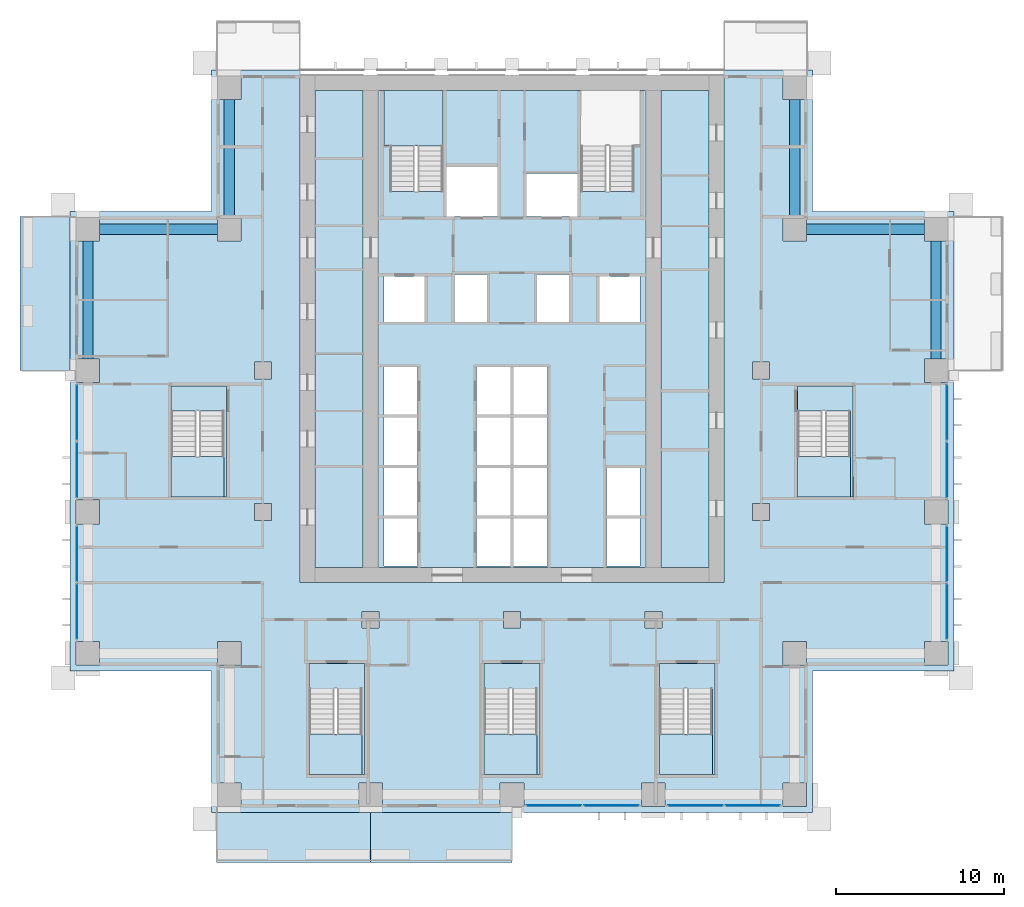
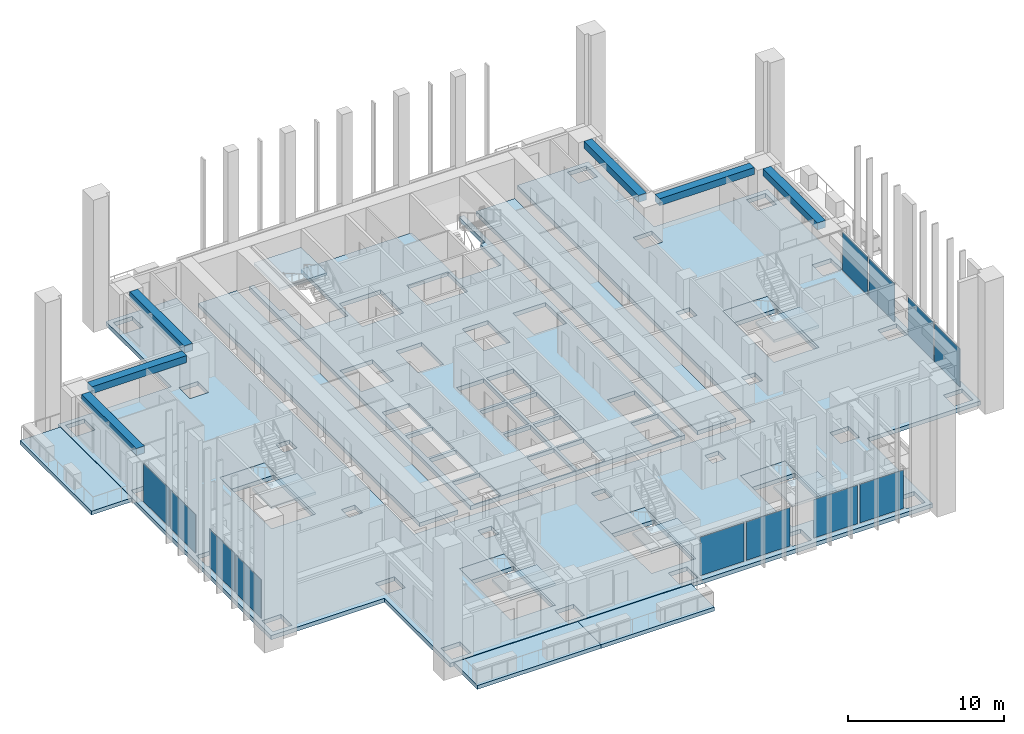
# One storey, part 5 of 17: 18 slabs, 12 plates, 6 beams, 12 elements without a shape of their own.
"""IFC4 building model written with IfcOpenShell, lengths in metres."""

import ifcopenshell
import ifcopenshell.guid

model = None  # the IFC model being written
_history = None  # IfcOwnerHistory: only IFC2X3 demands one
_inside = {}  # id of a spatial element -> (the spatial element, [elements in it])
_under = {}  # id of a project, library or spatial element -> (it, [spatial elements below it])
_declared = {}  # id of a project -> (the project, [libraries it declares])
_typed = {}  # id of a type object -> (the type object, [elements of that type])
_made_of = {}  # id of a material, layer set ... -> (it, [elements and type objects made of it])


def new_model(schema):
    """Start an empty IFC model of exactly this schema.

    Asked for "IFC4X3", IfcOpenShell would pick the latest addendum, in which some entities
    have other attributes; the version numbers below select the first issue.
    IFC2X3 requires an IfcOwnerHistory on every rooted entity: one is made here for all.
    """
    global model, _history
    if schema == "IFC4X3":
        model = ifcopenshell.file(schema_version=(4, 3, 0, 0))
    else:
        model = ifcopenshell.file(schema=schema)
    _inside.clear()
    _under.clear()
    _declared.clear()
    _typed.clear()
    _made_of.clear()
    _history = None
    if model.schema == "IFC2X3":
        org = make("IfcOrganization", Name="unknown")
        user = make(
            "IfcPersonAndOrganization",
            ThePerson=make("IfcPerson", FamilyName="unknown"),
            TheOrganization=org,
        )
        app = make(
            "IfcApplication",
            ApplicationDeveloper=org,
            Version="unknown",
            ApplicationFullName="unknown",
            ApplicationIdentifier="unknown",
        )
        _history = make(
            "IfcOwnerHistory",
            OwningUser=user,
            OwningApplication=app,
            ChangeAction="ADDED",
            CreationDate=0,
        )
    return model


def make(cls, **values):
    """One entity of the class cls with the attributes given. An attribute that is None is left unset."""
    return model.create_entity(
        cls, **{name: value for name, value in values.items() if value is not None}
    )


def rooted(cls, **values):
    """An entity with a GlobalId (a new one), such as an element, a storey or a relation."""
    return make(cls, GlobalId=ifcopenshell.guid.new(), OwnerHistory=_history, **values)


def si_unit(unit_type, name, prefix=None):
    """IfcSIUnit, for example si_unit("LENGTHUNIT", "METRE", prefix="MILLI")."""
    return make("IfcSIUnit", UnitType=unit_type, Prefix=prefix, Name=name)


def assignment(units):
    """IfcUnitAssignment: the units of a project."""
    return None if units is None else make("IfcUnitAssignment", Units=units)


def point(xyz):
    """IfcCartesianPoint."""
    return None if xyz is None else make("IfcCartesianPoint", Coordinates=xyz)


def direction(xyz):
    """IfcDirection."""
    return None if xyz is None else make("IfcDirection", DirectionRatios=xyz)


def frame(location, z_axis=None, x_axis=None):
    """IfcAxis2Placement3D, a coordinate frame: its origin and axes. An axis left out is left unset."""
    return make(
        "IfcAxis2Placement3D",
        Location=point(location),
        Axis=direction(z_axis),
        RefDirection=direction(x_axis),
    )


def frame_2d(location, x_axis=None):
    """IfcAxis2Placement2D, a coordinate frame in the plane: its origin and x axis."""
    return make(
        "IfcAxis2Placement2D", Location=point(location), RefDirection=direction(x_axis)
    )


def origin():
    """The frame at (0, 0, 0) with its axes left unset."""
    return frame((0.0, 0.0, 0.0))


def origin_2d():
    """The frame at (0, 0) in the plane with its x axis left unset."""
    return frame_2d((0.0, 0.0))


def place(relative_to, where):
    """IfcLocalPlacement: puts the frame where relative to a parent placement (None: the world)."""
    return make(
        "IfcLocalPlacement", PlacementRelTo=relative_to, RelativePlacement=where
    )


def context(
    kind, dimensions, precision=None, world=None, true_north=None, identifier=None
):
    """IfcGeometricRepresentationContext, for example the 3D "Model" context."""
    return make(
        "IfcGeometricRepresentationContext",
        ContextIdentifier=identifier,
        ContextType=kind,
        CoordinateSpaceDimension=dimensions,
        Precision=precision,
        WorldCoordinateSystem=world,
        TrueNorth=true_north,
    )


def subcontext(parent, identifier, kind, view, scale=None):
    """IfcGeometricRepresentationSubContext, for example "Body" below "Model"."""
    return make(
        "IfcGeometricRepresentationSubContext",
        ContextIdentifier=identifier,
        ContextType=kind,
        ParentContext=parent,
        TargetScale=scale,
        TargetView=view,
    )


def project(units=None, contexts=None):
    """IfcProject with its units and contexts."""
    return rooted(
        "IfcProject",
        Name="project",
        RepresentationContexts=contexts,
        UnitsInContext=assignment(units),
    )


def spatial(cls, under=None, at=None, **own):
    """A site, building, storey or space (cls), placed at a placement, below another one or the project."""
    s = rooted(cls, ObjectPlacement=at, **own)
    if under is not None:
        _under.setdefault(under.id(), (under, []))[1].append(s)
    return s


def polyline(points):
    """IfcPolyline through the points."""
    return make("IfcPolyline", Points=[point(p) for p in points])


def profile(cls, at=None, kind="AREA", **sizes):
    """A parametric profile (cls). Its sizes go by their IFC names, for example OverallWidth=200.0."""
    return make(cls, ProfileType=kind, Position=at, **sizes)


def rectangle(**sizes):
    """IfcRectangleProfileDef."""
    return profile("IfcRectangleProfileDef", **sizes)


def outline(outer, holes=None, kind="AREA"):
    """IfcArbitraryClosedProfileDef: a profile drawn as a closed curve; with holes, ...WithVoids."""
    if holes is None:
        return make("IfcArbitraryClosedProfileDef", ProfileType=kind, OuterCurve=outer)
    return make(
        "IfcArbitraryProfileDefWithVoids",
        ProfileType=kind,
        OuterCurve=outer,
        InnerCurves=holes,
    )


def extrude(swept, where, along, depth):
    """IfcExtrudedAreaSolid: the profile swept, set in the frame where, extruded along a direction by depth."""
    return make(
        "IfcExtrudedAreaSolid",
        SweptArea=swept,
        Position=where,
        ExtrudedDirection=direction(along),
        Depth=depth,
    )


def shape(context_of_items, identifier, shape_type, items):
    """IfcShapeRepresentation: the items that make up one representation, for example the "Body"."""
    return make(
        "IfcShapeRepresentation",
        ContextOfItems=context_of_items,
        RepresentationIdentifier=identifier,
        RepresentationType=shape_type,
        Items=items,
    )


def material(Name=None, Category=None):
    """IfcMaterial."""
    return make("IfcMaterial", Name=Name, Category=Category)


def layer(
    of_material, thickness, ventilated=None, Name=None, Category=None, Priority=None
):
    """IfcMaterialLayer: one layer of a wall or slab, of a material (None: an air gap)."""
    return make(
        "IfcMaterialLayer",
        Material=of_material,
        LayerThickness=thickness,
        IsVentilated=ventilated,
        Name=Name,
        Category=Category,
        Priority=Priority,
    )


def layer_set(layers, Name=None):
    """IfcMaterialLayerSet."""
    return make("IfcMaterialLayerSet", MaterialLayers=layers, LayerSetName=Name)


def material_profile(
    of_material, cross_section, Name=None, Category=None, Priority=None
):
    """IfcMaterialProfile: a cross section and its material."""
    return make(
        "IfcMaterialProfile",
        Name=Name,
        Material=of_material,
        Profile=cross_section,
        Priority=Priority,
        Category=Category,
    )


def profile_set(profiles, Name=None, composite=None):
    """IfcMaterialProfileSet."""
    return make(
        "IfcMaterialProfileSet",
        Name=Name,
        MaterialProfiles=profiles,
        CompositeProfile=composite,
    )


def made_of(thing, what):
    """Note that an element or type object is made of a material, layer set ...; save() writes the relation."""
    if what is not None:
        _made_of.setdefault(what.id(), (what, []))[1].append(thing)
    return thing


def type_object(cls, material=None, **own):
    """A type object (cls), such as IfcWallType, which elements share."""
    return made_of(rooted(cls, **own), material)


def element(
    cls,
    number,
    at=None,
    inside=None,
    cuts=None,
    type_object=None,
    material=None,
    context=None,
    identifier="Body",
    shape_type=None,
    held_by="IfcProductDefinitionShape",
    body=None,
    shapes=None,
    **own,
):
    """One element of the class cls, such as IfcWall. Its Tag is "e" and its number.

    at: its placement. inside: the storey or other place that contains it. cuts: it is an
    opening in that element (IfcRelVoidsElement). A single representation is given by context,
    identifier, shape_type and body (its items); several are given by shapes. held_by: the class
    of the entity that holds the representations. save() writes the other relations.
    """
    e = rooted(cls, Tag="e%d" % number, ObjectPlacement=at, **own)
    if body is not None:
        shapes = [shape(context, identifier, shape_type, body)]
    if shapes is not None:
        e.Representation = make(held_by, Representations=shapes)
    if inside is not None:
        _inside.setdefault(inside.id(), (inside, []))[1].append(e)
    if cuts is not None:
        rooted(
            "IfcRelVoidsElement", RelatingBuildingElement=cuts, RelatedOpeningElement=e
        )
    if type_object is not None:
        _typed.setdefault(type_object.id(), (type_object, []))[1].append(e)
    return made_of(e, material)


def aggregate(whole, parts):
    """IfcRelAggregates: a whole, such as a stair, and the parts it consists of."""
    return rooted("IfcRelAggregates", RelatingObject=whole, RelatedObjects=parts)


def save(model, path):
    """Write the relations noted so far, then the file.

    IfcRelAggregates (storeys below a building ...), IfcRelContainedInSpatialStructure (elements
    in a storey), IfcRelDefinesByType, IfcRelAssociatesMaterial and IfcRelDeclares: one each for
    every whole, place, type object, material and project.
    """
    for whole, parts in _under.values():
        aggregate(whole, parts)
    for where, things in _inside.values():
        rooted(
            "IfcRelContainedInSpatialStructure",
            RelatedElements=things,
            RelatingStructure=where,
        )
    for kind, things in _typed.values():
        rooted("IfcRelDefinesByType", RelatedObjects=things, RelatingType=kind)
    for what, things in _made_of.values():
        rooted("IfcRelAssociatesMaterial", RelatedObjects=things, RelatingMaterial=what)
    for by, libraries in _declared.values():
        rooted("IfcRelDeclares", RelatingContext=by, RelatedDefinitions=libraries)
    model.write(path)


model = new_model("IFC4")

# Units and contexts
model_context = context("Model", 3, precision=1e-05, world=origin(), true_north=direction((0.0, 1.0)))
body_context = subcontext(model_context, "Body", "Model", "MODEL_VIEW")
ifc_project = project(units=[si_unit("LENGTHUNIT", "METRE"), si_unit("AREAUNIT", "SQUARE_METRE"), si_unit("VOLUMEUNIT", "CUBIC_METRE"), si_unit("PLANEANGLEUNIT", "RADIAN"), si_unit("MASSUNIT", "GRAM", prefix="KILO")], contexts=[model_context])

# Site, building, storey
site_placement = place(None, origin())
site = spatial("IfcSite", under=ifc_project, at=site_placement, CompositionType="ELEMENT")
building_placement = place(site_placement, origin())
building = spatial("IfcBuilding", under=site, at=building_placement, Name="Vermilion Ogive Tower", CompositionType="ELEMENT")
storey_placement = place(building_placement, frame((0.0, 0.0, 37.949951171875)))
storey = spatial("IfcBuildingStorey", under=building, at=storey_placement, Name="L07", CompositionType="ELEMENT", Elevation=37.949951171875)

# Beams
ifc_material_1 = material(Name="Concrete B45", Category="concrete")
ifc_material_profile = material_profile(ifc_material_1, rectangle(XDim=0.60009765625, YDim=0.550048828125, at=origin_2d()), Name="600 x 550")
ifc_profile_set = profile_set([ifc_material_profile], Name="Concrete B45")
beam_type = type_object("IfcBeamType", Name="Edge beam 600 x 550 B45", PredefinedType="BEAM", material=ifc_profile_set)
for number, where, z_axis, x_axis, name in (
    (1, (25.199951171875, 4.89990234375, 2.85498046875), (0.0, 1.0, 0.0), (-1.0, 0.0, 0.0), "L07-EB-9"),
    (2, (24.5, 12.60009765625, 2.85498046875), (-1.0, 0.0, 0.0), (0.0, -1.0, 0.0), "L07-EB-10"),
    (3, (16.800048828125, 13.300048828125, 2.85498046875), (0.0, 1.0, 0.0), (-1.0, 0.0, 0.0), "L07-EB-11"),
    (4, (-16.800048828125, 20.300048828125, 2.85498046875), (0.0, -1.0, 0.0), (1.0, 0.0, 0.0), "L07-EB-12"),
    (5, (-17.5, 12.60009765625, 2.85498046875), (-1.0, 0.0, 0.0), (0.0, -1.0, 0.0), "L07-EB-13"),
    (6, (-25.199951171875, 11.89990234375, 2.85498046875), (0.0, -1.0, 0.0), (1.0, 0.0, 0.0), "L07-EB-14"),
):
    element("IfcBeam", number, at=place(storey_placement, frame(where, z_axis=z_axis, x_axis=x_axis)), inside=storey, type_object=beam_type, Name=name, PredefinedType="BEAM", context=body_context, shape_type="SweptSolid", body=[
        extrude(rectangle(XDim=0.60009765625, YDim=0.550048828125, at=origin_2d()), origin(), (0.0, 0.0, 1.0), 7.0),
    ])

# Slabs
ifc_material_2 = material(Name="Concrete B40", Category="concrete")
ifc_layer_1 = layer(ifc_material_2, 0.300048828125)
ifc_layer_set_1 = layer_set([ifc_layer_1], Name="Balcony slab")
slab_type_1 = type_object("IfcSlabType", Name="Balcony slab", PredefinedType="FLOOR", material=ifc_layer_set_1)
slab_1_placement = place(storey_placement, frame((0.0, 0.0, -0.33984375)))
element("IfcSlab", 7, at=slab_1_placement, inside=storey, type_object=slab_type_1, Name="Balcony slab S01", PredefinedType="FLOOR", context=body_context, shape_type="SweptSolid", body=[
    extrude(outline(polyline([(-17.550048828125, -25.030029296875), (-8.39990234375, -25.030029296875), (-8.39990234375, -22.050048828125), (-17.550048828125, -22.050048828125), (-17.550048828125, -25.030029296875)])), origin(), (0.0, 0.0, 1.0), 0.2998046875),
])
slab_2_placement = place(storey_placement, frame((0.0, 0.0, -0.33984375)))
element("IfcSlab", 8, at=slab_2_placement, inside=storey, type_object=slab_type_1, Name="Balcony slab S02", PredefinedType="FLOOR", context=body_context, shape_type="SweptSolid", body=[
    extrude(outline(polyline([(-8.39990234375, -25.030029296875), (0.0, -25.030029296875), (0.0, -22.050048828125), (-8.39990234375, -22.050048828125), (-8.39990234375, -25.030029296875)])), origin(), (0.0, 0.0, 1.0), 0.2998046875),
])
slab_3_placement = place(storey_placement, frame((0.0, 0.0, -0.33984375)))
element("IfcSlab", 9, at=slab_3_placement, inside=storey, type_object=slab_type_1, Name="Balcony slab W01", PredefinedType="FLOOR", context=body_context, shape_type="SweptSolid", body=[
    extrude(outline(polyline([(-29.22998046875, 13.35009765625), (-29.22998046875, 4.199951171875), (-26.25, 4.199951171875), (-26.25, 13.35009765625), (-29.22998046875, 13.35009765625)])), origin(), (0.0, 0.0, 1.0), 0.2998046875),
])

# Curtain wall, plates
ifc_material_3 = material(Name="Low-iron laminated glazing in aluminium frame", Category="aluminium")
curtain_wall_type = type_object("IfcCurtainWallType", Name="Curtain wall CW7", PredefinedType="NOTDEFINED", material=ifc_material_3)
curtain_wall_1_placement = place(storey_placement, origin())
curtain_wall_1 = element("IfcCurtainWall", 10, at=curtain_wall_1_placement, inside=storey, type_object=curtain_wall_type, Name="Glazed skin S3", PredefinedType="NOTDEFINED")
ifc_material_4 = material(Name="Low-iron laminated glazing in aluminium frame", Category="aluminium")
ifc_layer_2 = layer(ifc_material_4, 0.031982421875)
ifc_layer_set_2 = layer_set([ifc_layer_2], Name="CW7 glazing panel 32")
plate_type = type_object("IfcPlateType", Name="CW7 glazing panel 32", PredefinedType="CURTAIN_PANEL", material=ifc_layer_set_2)
plate_1_placement = place(storey_placement, frame((2.4951171875, -21.64990234375, 0.06005859375), z_axis=(0.0, 0.0, 1.0), x_axis=(1.0, 0.0, 0.0)))
plate_1 = element("IfcPlate", 11, at=plate_1_placement, type_object=plate_type, Name="CW7-S3 panel 1.1", PredefinedType="CURTAIN_PANEL", context=body_context, shape_type="SweptSolid", body=[
    extrude(rectangle(XDim=3.22998046875, YDim=0.031982421875, at=origin_2d()), origin(), (0.0, 0.0, 1.0), 3.010009765625),
])
plate_2_placement = place(storey_placement, frame((5.905029296875, -21.64990234375, 0.06005859375), z_axis=(0.0, 0.0, 1.0), x_axis=(1.0, 0.0, 0.0)))
plate_2 = element("IfcPlate", 12, at=plate_2_placement, type_object=plate_type, Name="CW7-S3 panel 2.1", PredefinedType="CURTAIN_PANEL", context=body_context, shape_type="SweptSolid", body=[
    extrude(rectangle(XDim=3.22998046875, YDim=0.031982421875, at=origin_2d()), origin(), (0.0, 0.0, 1.0), 3.010009765625),
])
aggregate(curtain_wall_1, [plate_1, plate_2])

curtain_wall_2_placement = place(storey_placement, origin())
curtain_wall_2 = element("IfcCurtainWall", 13, at=curtain_wall_2_placement, inside=storey, type_object=curtain_wall_type, Name="Glazed skin S4", PredefinedType="NOTDEFINED")
plate_3_placement = place(storey_placement, frame((10.89501953125, -21.64990234375, 0.06005859375), z_axis=(0.0, 0.0, 1.0), x_axis=(1.0, 0.0, 0.0)))
plate_3 = element("IfcPlate", 14, at=plate_3_placement, type_object=plate_type, Name="CW7-S4 panel 1.1", PredefinedType="CURTAIN_PANEL", context=body_context, shape_type="SweptSolid", body=[
    extrude(rectangle(XDim=3.22998046875, YDim=0.031982421875, at=origin_2d()), origin(), (0.0, 0.0, 1.0), 3.010009765625),
])
plate_4_placement = place(storey_placement, frame((14.304931640625, -21.64990234375, 0.06005859375), z_axis=(0.0, 0.0, 1.0), x_axis=(1.0, 0.0, 0.0)))
plate_4 = element("IfcPlate", 15, at=plate_4_placement, type_object=plate_type, Name="CW7-S4 panel 2.1", PredefinedType="CURTAIN_PANEL", context=body_context, shape_type="SweptSolid", body=[
    extrude(rectangle(XDim=3.22998046875, YDim=0.031982421875, at=origin_2d()), origin(), (0.0, 0.0, 1.0), 3.010009765625),
])
aggregate(curtain_wall_2, [plate_3, plate_4])

curtain_wall_3_placement = place(storey_placement, origin())
curtain_wall_3 = element("IfcCurtainWall", 16, at=curtain_wall_3_placement, inside=storey, type_object=curtain_wall_type, Name="Glazed skin E1", PredefinedType="NOTDEFINED")
plate_5_placement = place(storey_placement, frame((25.85009765625, -10.10498046875, 0.06005859375), z_axis=(0.0, 0.0, 1.0), x_axis=(0.0, 1.0, 0.0)))
plate_5 = element("IfcPlate", 17, at=plate_5_placement, type_object=plate_type, Name="CW7-E1 panel 1.1", PredefinedType="CURTAIN_PANEL", context=body_context, shape_type="SweptSolid", body=[
    extrude(rectangle(XDim=3.22998046875, YDim=0.031982421875, at=origin_2d()), origin(), (0.0, 0.0, 1.0), 3.010009765625),
])
plate_6_placement = place(storey_placement, frame((25.85009765625, -6.695068359375, 0.06005859375), z_axis=(0.0, 0.0, 1.0), x_axis=(0.0, 1.0, 0.0)))
plate_6 = element("IfcPlate", 18, at=plate_6_placement, type_object=plate_type, Name="CW7-E1 panel 2.1", PredefinedType="CURTAIN_PANEL", context=body_context, shape_type="SweptSolid", body=[
    extrude(rectangle(XDim=3.22998046875, YDim=0.031982421875, at=origin_2d()), origin(), (0.0, 0.0, 1.0), 3.010009765625),
])
aggregate(curtain_wall_3, [plate_5, plate_6])

curtain_wall_4_placement = place(storey_placement, origin())
curtain_wall_4 = element("IfcCurtainWall", 19, at=curtain_wall_4_placement, inside=storey, type_object=curtain_wall_type, Name="Glazed skin E2", PredefinedType="NOTDEFINED")
plate_7_placement = place(storey_placement, frame((25.85009765625, -1.705078125, 0.06005859375), z_axis=(0.0, 0.0, 1.0), x_axis=(0.0, 1.0, 0.0)))
plate_7 = element("IfcPlate", 20, at=plate_7_placement, type_object=plate_type, Name="CW7-E2 panel 1.1", PredefinedType="CURTAIN_PANEL", context=body_context, shape_type="SweptSolid", body=[
    extrude(rectangle(XDim=3.22998046875, YDim=0.031982421875, at=origin_2d()), origin(), (0.0, 0.0, 1.0), 3.010009765625),
])
plate_8_placement = place(storey_placement, frame((25.85009765625, 1.705078125, 0.06005859375), z_axis=(0.0, 0.0, 1.0), x_axis=(0.0, 1.0, 0.0)))
plate_8 = element("IfcPlate", 21, at=plate_8_placement, type_object=plate_type, Name="CW7-E2 panel 2.1", PredefinedType="CURTAIN_PANEL", context=body_context, shape_type="SweptSolid", body=[
    extrude(rectangle(XDim=3.22998046875, YDim=0.031982421875, at=origin_2d()), origin(), (0.0, 0.0, 1.0), 3.010009765625),
])
aggregate(curtain_wall_4, [plate_7, plate_8])

curtain_wall_5_placement = place(storey_placement, origin())
curtain_wall_5 = element("IfcCurtainWall", 22, at=curtain_wall_5_placement, inside=storey, type_object=curtain_wall_type, Name="Glazed skin W2", PredefinedType="NOTDEFINED")
plate_9_placement = place(storey_placement, frame((-25.85009765625, 1.705078125, 0.06005859375), z_axis=(0.0, 0.0, 1.0), x_axis=(0.0, -1.0, 0.0)))
plate_9 = element("IfcPlate", 23, at=plate_9_placement, type_object=plate_type, Name="CW7-W2 panel 1.1", PredefinedType="CURTAIN_PANEL", context=body_context, shape_type="SweptSolid", body=[
    extrude(rectangle(XDim=3.22998046875, YDim=0.031982421875, at=origin_2d()), origin(), (0.0, 0.0, 1.0), 3.010009765625),
])
plate_10_placement = place(storey_placement, frame((-25.85009765625, -1.705078125, 0.06005859375), z_axis=(0.0, 0.0, 1.0), x_axis=(0.0, -1.0, 0.0)))
plate_10 = element("IfcPlate", 24, at=plate_10_placement, type_object=plate_type, Name="CW7-W2 panel 2.1", PredefinedType="CURTAIN_PANEL", context=body_context, shape_type="SweptSolid", body=[
    extrude(rectangle(XDim=3.22998046875, YDim=0.031982421875, at=origin_2d()), origin(), (0.0, 0.0, 1.0), 3.010009765625),
])
aggregate(curtain_wall_5, [plate_9, plate_10])

curtain_wall_6_placement = place(storey_placement, origin())
curtain_wall_6 = element("IfcCurtainWall", 25, at=curtain_wall_6_placement, inside=storey, type_object=curtain_wall_type, Name="Glazed skin W3", PredefinedType="NOTDEFINED")
plate_11_placement = place(storey_placement, frame((-25.85009765625, -6.695068359375, 0.06005859375), z_axis=(0.0, 0.0, 1.0), x_axis=(0.0, -1.0, 0.0)))
plate_11 = element("IfcPlate", 26, at=plate_11_placement, type_object=plate_type, Name="CW7-W3 panel 1.1", PredefinedType="CURTAIN_PANEL", context=body_context, shape_type="SweptSolid", body=[
    extrude(rectangle(XDim=3.22998046875, YDim=0.031982421875, at=origin_2d()), origin(), (0.0, 0.0, 1.0), 3.010009765625),
])
plate_12_placement = place(storey_placement, frame((-25.85009765625, -10.10498046875, 0.06005859375), z_axis=(0.0, 0.0, 1.0), x_axis=(0.0, -1.0, 0.0)))
plate_12 = element("IfcPlate", 27, at=plate_12_placement, type_object=plate_type, Name="CW7-W3 panel 2.1", PredefinedType="CURTAIN_PANEL", context=body_context, shape_type="SweptSolid", body=[
    extrude(rectangle(XDim=3.22998046875, YDim=0.031982421875, at=origin_2d()), origin(), (0.0, 0.0, 1.0), 3.010009765625),
])
aggregate(curtain_wall_6, [plate_11, plate_12])

# Slabs
ifc_material_5 = material(Name="Concrete B40", Category="concrete")
ifc_layer_3 = layer(ifc_material_5, 0.320068359375)
ifc_layer_set_3 = layer_set([ifc_layer_3], Name="Core floor slab 320 B40")
slab_type_2 = type_object("IfcSlabType", Name="Core floor slab 320 B40", PredefinedType="FLOOR", material=ifc_layer_set_3)
slab_4_placement = place(storey_placement, frame((0.0, 0.0, -0.320068359375)))
element("IfcSlab", 28, at=slab_4_placement, inside=storey, type_object=slab_type_2, Name="L07-CK-FS1", PredefinedType="FLOOR", context=body_context, shape_type="SweptSolid", body=[
    extrude(outline(polyline([(-8.85400390625, -7.49609375), (-11.696044921875, -7.49609375), (-11.696044921875, 20.845947265625), (-8.85400390625, 20.845947265625), (-8.85400390625, -7.49609375)])), origin(), (0.0, 0.0, 1.0), 0.320068359375),
])
slab_5_placement = place(storey_placement, frame((0.0, 0.0, -0.320068359375)))
element("IfcSlab", 29, at=slab_5_placement, inside=storey, type_object=slab_type_2, Name="L07-CK-FS2", PredefinedType="FLOOR", context=body_context, shape_type="SweptSolid", body=[
    extrude(outline(polyline([(5.75, 14.85009765625), (5.60009765625, 14.85009765625), (5.60009765625, 14.85205078125), (4.10009765625, 14.85205078125), (4.10009765625, 17.550048828125), (4.074951171875, 17.550048828125), (4.074951171875, 20.845947265625), (-4.10009765625, 20.845947265625), (-4.10009765625, 14.85205078125), (-5.60009765625, 14.85205078125), (-5.60009765625, 14.85009765625), (-5.75, 14.85009765625), (-5.75, 14.85205078125), (-7.25, 14.85205078125), (-7.25, 17.550048828125), (-7.60009765625, 17.550048828125), (-7.60009765625, 20.845947265625), (-7.946044921875, 20.845947265625), (-7.946044921875, -7.49609375), (7.946044921875, -7.49609375), (7.946044921875, 20.845947265625), (7.60009765625, 20.845947265625), (7.60009765625, 17.550048828125), (7.25, 17.550048828125), (7.25, 14.85205078125), (5.75, 14.85205078125), (5.75, 14.85009765625)]), holes=[polyline([(-7.60009765625, -4.60009765625), (-5.60009765625, -4.60009765625), (-5.60009765625, -7.39990234375), (-7.60009765625, -7.39990234375), (-7.60009765625, -4.60009765625)]), polyline([(-2.10009765625, -4.60009765625), (-0.10009765625, -4.60009765625), (-0.10009765625, -7.39990234375), (-2.10009765625, -7.39990234375), (-2.10009765625, -4.60009765625)]), polyline([(-7.60009765625, -4.39990234375), (-7.60009765625, -1.60009765625), (-5.60009765625, -1.60009765625), (-5.60009765625, -4.39990234375), (-7.60009765625, -4.39990234375)]), polyline([(-2.10009765625, -1.60009765625), (-0.10009765625, -1.60009765625), (-0.10009765625, -4.39990234375), (-2.10009765625, -4.39990234375), (-2.10009765625, -1.60009765625)]), polyline([(-7.60009765625, -1.39990234375), (-7.60009765625, 1.39990234375), (-5.60009765625, 1.39990234375), (-5.60009765625, -1.39990234375), (-7.60009765625, -1.39990234375)]), polyline([(-2.10009765625, 1.39990234375), (-0.10009765625, 1.39990234375), (-0.10009765625, -1.39990234375), (-2.10009765625, -1.39990234375), (-2.10009765625, 1.39990234375)]), polyline([(-7.60009765625, 4.39990234375), (-5.60009765625, 4.39990234375), (-5.60009765625, 1.60009765625), (-7.60009765625, 1.60009765625), (-7.60009765625, 4.39990234375)]), polyline([(-2.10009765625, 4.39990234375), (-0.10009765625, 4.39990234375), (-0.10009765625, 1.60009765625), (-2.10009765625, 1.60009765625), (-2.10009765625, 4.39990234375)]), polyline([(-7.60009765625, 9.800048828125), (-5.199951171875, 9.800048828125), (-5.199951171875, 7.10009765625), (-7.60009765625, 7.10009765625), (-7.60009765625, 9.800048828125)]), polyline([(-3.39990234375, 9.89990234375), (-1.5, 9.89990234375), (-1.5, 7.10009765625), (-3.39990234375, 7.10009765625), (-3.39990234375, 9.89990234375)]), polyline([(-3.89990234375, 16.300048828125), (-0.85009765625, 16.300048828125), (-0.85009765625, 13.35009765625), (-3.89990234375, 13.35009765625), (-3.89990234375, 16.300048828125)]), polyline([(0.10009765625, -4.60009765625), (2.10009765625, -4.60009765625), (2.10009765625, -7.39990234375), (0.10009765625, -7.39990234375), (0.10009765625, -4.60009765625)]), polyline([(5.60009765625, -4.60009765625), (7.60009765625, -4.60009765625), (7.60009765625, -7.39990234375), (5.60009765625, -7.39990234375), (5.60009765625, -4.60009765625)]), polyline([(0.10009765625, -1.60009765625), (2.10009765625, -1.60009765625), (2.10009765625, -4.39990234375), (0.10009765625, -4.39990234375), (0.10009765625, -1.60009765625)]), polyline([(5.60009765625, -1.60009765625), (7.60009765625, -1.60009765625), (7.60009765625, -4.39990234375), (5.60009765625, -4.39990234375), (5.60009765625, -1.60009765625)]), polyline([(0.10009765625, 1.39990234375), (2.10009765625, 1.39990234375), (2.10009765625, -1.39990234375), (0.10009765625, -1.39990234375), (0.10009765625, 1.39990234375)]), polyline([(0.10009765625, 4.39990234375), (2.10009765625, 4.39990234375), (2.10009765625, 1.60009765625), (0.10009765625, 1.60009765625), (0.10009765625, 4.39990234375)]), polyline([(5.199951171875, 9.800048828125), (7.60009765625, 9.800048828125), (7.60009765625, 7.10009765625), (5.199951171875, 7.10009765625), (5.199951171875, 9.800048828125)]), polyline([(1.5, 9.89990234375), (3.39990234375, 9.89990234375), (3.39990234375, 7.10009765625), (1.5, 7.10009765625), (1.5, 9.89990234375)]), polyline([(0.85009765625, 15.89990234375), (3.89990234375, 15.89990234375), (3.89990234375, 13.35009765625), (0.85009765625, 13.35009765625), (0.85009765625, 15.89990234375)])]), origin(), (0.0, 0.0, 1.0), 0.320068359375),
])
slab_6_placement = place(storey_placement, frame((0.0, 0.0, -0.320068359375)))
element("IfcSlab", 30, at=slab_6_placement, inside=storey, type_object=slab_type_2, Name="L07-CK-FS3", PredefinedType="FLOOR", context=body_context, shape_type="SweptSolid", body=[
    extrude(outline(polyline([(8.85400390625, 20.845947265625), (11.696044921875, 20.845947265625), (11.696044921875, -7.49609375), (8.85400390625, -7.49609375), (8.85400390625, 20.845947265625)])), origin(), (0.0, 0.0, 1.0), 0.320068359375),
])
slab_7_placement = place(storey_placement, frame((0.0, 0.0, -0.320068359375)))
element("IfcSlab", 31, at=slab_7_placement, inside=storey, type_object=slab_type_2, Name="L07-SF-ST3-1", PredefinedType="FLOOR", context=body_context, shape_type="SweptSolid", body=[
    extrude(outline(polyline([(-12.050048828125, -13.199951171875), (-12.050048828125, -14.701904296875), (-10.550048828125, -14.701904296875), (-10.550048828125, -14.699951171875), (-10.39990234375, -14.699951171875), (-10.39990234375, -14.701904296875), (-8.89990234375, -14.701904296875), (-8.89990234375, -19.800048828125), (-8.75, -19.800048828125), (-8.75, -13.199951171875), (-12.050048828125, -13.199951171875)])), origin(), (0.0, 0.0, 1.0), 0.320068359375),
])
slab_8_placement = place(storey_placement, frame((0.0, 0.0, -0.320068359375)))
element("IfcSlab", 32, at=slab_8_placement, inside=storey, type_object=slab_type_2, Name="L07-SF-ST4-1", PredefinedType="FLOOR", context=body_context, shape_type="SweptSolid", body=[
    extrude(outline(polyline([(-1.64990234375, -13.199951171875), (-1.64990234375, -14.701904296875), (-0.14990234375, -14.701904296875), (-0.14990234375, -14.699951171875), (0.0, -14.699951171875), (0.0, -14.701904296875), (1.5, -14.701904296875), (1.5, -19.800048828125), (1.64990234375, -19.800048828125), (1.64990234375, -13.199951171875), (-1.64990234375, -13.199951171875)])), origin(), (0.0, 0.0, 1.0), 0.320068359375),
])
slab_9_placement = place(storey_placement, frame((0.0, 0.0, -0.320068359375)))
element("IfcSlab", 33, at=slab_9_placement, inside=storey, type_object=slab_type_2, Name="L07-SF-ST5-1", PredefinedType="FLOOR", context=body_context, shape_type="SweptSolid", body=[
    extrude(outline(polyline([(8.75, -13.199951171875), (8.75, -14.701904296875), (10.25, -14.701904296875), (10.25, -14.699951171875), (10.39990234375, -14.699951171875), (10.39990234375, -14.701904296875), (11.89990234375, -14.701904296875), (11.89990234375, -19.800048828125), (12.050048828125, -19.800048828125), (12.050048828125, -13.199951171875), (8.75, -13.199951171875)])), origin(), (0.0, 0.0, 1.0), 0.320068359375),
])
slab_10_placement = place(storey_placement, frame((0.0, 0.0, -0.320068359375)))
element("IfcSlab", 34, at=slab_10_placement, inside=storey, type_object=slab_type_2, Name="L07-SF-ST8-1", PredefinedType="FLOOR", context=body_context, shape_type="SweptSolid", body=[
    extrude(outline(polyline([(16.949951171875, 3.300048828125), (16.949951171875, 1.798095703125), (18.449951171875, 1.798095703125), (18.449951171875, 1.800048828125), (18.60009765625, 1.800048828125), (18.60009765625, 1.798095703125), (20.10009765625, 1.798095703125), (20.10009765625, -3.300048828125), (20.25, -3.300048828125), (20.25, 3.300048828125), (16.949951171875, 3.300048828125)])), origin(), (0.0, 0.0, 1.0), 0.320068359375),
])
slab_11_placement = place(storey_placement, frame((0.0, 0.0, -0.320068359375)))
element("IfcSlab", 35, at=slab_11_placement, inside=storey, type_object=slab_type_2, Name="L07-SF-ST9-1", PredefinedType="FLOOR", context=body_context, shape_type="SweptSolid", body=[
    extrude(outline(polyline([(-20.25, 3.300048828125), (-20.25, 1.798095703125), (-18.75, 1.798095703125), (-18.75, 1.800048828125), (-18.60009765625, 1.800048828125), (-18.60009765625, 1.798095703125), (-17.10009765625, 1.798095703125), (-17.10009765625, -3.300048828125), (-16.949951171875, -3.300048828125), (-16.949951171875, 3.300048828125), (-20.25, 3.300048828125)])), origin(), (0.0, 0.0, 1.0), 0.320068359375),
])
ifc_material_6 = material(Name="Concrete B45", Category="concrete")
ifc_layer_4 = layer(ifc_material_6, 0.320068359375)
ifc_layer_set_4 = layer_set([ifc_layer_4], Name="Post-tensioned flat plate 320 B45")
slab_type_3 = type_object("IfcSlabType", Name="Post-tensioned flat plate 320 B45", PredefinedType="FLOOR", material=ifc_layer_set_4)
slab_12_placement = place(storey_placement, frame((0.0, 0.0, -0.320068359375)))
element("IfcSlab", 36, at=slab_12_placement, inside=storey, type_object=slab_type_3, Name="L07-SL-1", PredefinedType="FLOOR", context=body_context, shape_type="SweptSolid", body=[
    extrude(outline(polyline([(-26.25, -13.64990234375), (-17.85009765625, -13.64990234375), (-17.85009765625, -22.050048828125), (17.85009765625, -22.050048828125), (17.85009765625, -13.64990234375), (26.25, -13.64990234375), (26.25, 13.64990234375), (17.85009765625, 13.64990234375), (17.85009765625, 22.050048828125), (12.60009765625, 22.050048828125), (12.60009765625, -8.39990234375), (-12.60009765625, -8.39990234375), (-12.60009765625, 22.050048828125), (-17.85009765625, 22.050048828125), (-17.85009765625, 13.64990234375), (-26.25, 13.64990234375), (-26.25, -13.64990234375)]), holes=[polyline([(25.89990234375, -3.5), (25.89990234375, -4.89990234375), (24.5, -4.89990234375), (24.5, -3.5), (25.89990234375, -3.5)]), polyline([(25.89990234375, -11.89990234375), (25.89990234375, -13.300048828125), (24.5, -13.300048828125), (24.5, -11.89990234375), (25.89990234375, -11.89990234375)]), polyline([(25.89990234375, 11.89990234375), (24.5, 11.89990234375), (24.5, 13.300048828125), (25.89990234375, 13.300048828125), (25.89990234375, 11.89990234375)]), polyline([(25.89990234375, 3.5), (24.5, 3.5), (24.5, 4.89990234375), (25.89990234375, 4.89990234375), (25.89990234375, 3.5)]), polyline([(20.25, -3.2998046875), (20.25, -3.300048828125), (16.949951171875, -3.300048828125), (16.949951171875, 3.300048828125), (20.25, 3.300048828125), (20.25, -0.89990234375), (20.275146484375, -0.89990234375), (20.275146484375, -3.2998046875), (20.25, -3.2998046875)]), polyline([(17.5, -11.89990234375), (17.5, -13.300048828125), (16.10009765625, -13.300048828125), (16.10009765625, -11.89990234375), (17.5, -11.89990234375)]), polyline([(17.5, 20.300048828125), (16.10009765625, 20.300048828125), (16.10009765625, 21.699951171875), (17.5, 21.699951171875), (17.5, 20.300048828125)]), polyline([(17.5, -20.300048828125), (17.5, -21.699951171875), (16.10009765625, -21.699951171875), (16.10009765625, -20.300048828125), (17.5, -20.300048828125)]), polyline([(17.5, 13.300048828125), (17.5, 11.89990234375), (16.10009765625, 11.89990234375), (16.10009765625, 13.300048828125), (17.5, 13.300048828125)]), polyline([(15.300048828125, 4.699951171875), (15.300048828125, 3.699951171875), (14.300048828125, 3.699951171875), (14.300048828125, 4.699951171875), (15.300048828125, 4.699951171875)]), polyline([(15.300048828125, -4.699951171875), (14.300048828125, -4.699951171875), (14.300048828125, -3.699951171875), (15.300048828125, -3.699951171875), (15.300048828125, -4.699951171875)]), polyline([(12.050048828125, -13.199951171875), (12.050048828125, -19.800048828125), (8.75, -19.800048828125), (8.75, -13.199951171875), (12.050048828125, -13.199951171875)]), polyline([(9.10009765625, -20.300048828125), (9.10009765625, -21.699951171875), (7.699951171875, -21.699951171875), (7.699951171875, -20.300048828125), (9.10009765625, -20.300048828125)]), polyline([(8.89990234375, -11.10009765625), (7.89990234375, -11.10009765625), (7.89990234375, -10.10009765625), (8.89990234375, -10.10009765625), (8.89990234375, -11.10009765625)]), polyline([(1.64990234375, -13.199951171875), (1.64990234375, -19.800048828125), (-1.64990234375, -19.800048828125), (-1.64990234375, -13.199951171875), (1.64990234375, -13.199951171875)]), polyline([(0.699951171875, -20.300048828125), (0.699951171875, -21.699951171875), (-0.699951171875, -21.699951171875), (-0.699951171875, -20.300048828125), (0.699951171875, -20.300048828125)]), polyline([(0.5, -10.10009765625), (0.5, -11.10009765625), (-0.5, -11.10009765625), (-0.5, -10.10009765625), (0.5, -10.10009765625)]), polyline([(-7.699951171875, -20.300048828125), (-7.699951171875, -21.699951171875), (-9.10009765625, -21.699951171875), (-9.10009765625, -20.300048828125), (-7.699951171875, -20.300048828125)]), polyline([(-7.89990234375, -10.10009765625), (-7.89990234375, -11.10009765625), (-8.89990234375, -11.10009765625), (-8.89990234375, -10.10009765625), (-7.89990234375, -10.10009765625)]), polyline([(-8.75, -13.199951171875), (-8.75, -19.800048828125), (-12.050048828125, -19.800048828125), (-12.050048828125, -13.199951171875), (-8.75, -13.199951171875)]), polyline([(-14.300048828125, 4.699951171875), (-14.300048828125, 3.699951171875), (-15.300048828125, 3.699951171875), (-15.300048828125, 4.699951171875), (-14.300048828125, 4.699951171875)]), polyline([(-14.300048828125, -4.699951171875), (-15.300048828125, -4.699951171875), (-15.300048828125, -3.699951171875), (-14.300048828125, -3.699951171875), (-14.300048828125, -4.699951171875)]), polyline([(-16.10009765625, 13.300048828125), (-16.10009765625, 11.89990234375), (-17.5, 11.89990234375), (-17.5, 13.300048828125), (-16.10009765625, 13.300048828125)]), polyline([(-16.10009765625, -11.89990234375), (-16.10009765625, -13.300048828125), (-17.5, -13.300048828125), (-17.5, -11.89990234375), (-16.10009765625, -11.89990234375)]), polyline([(-16.10009765625, -20.300048828125), (-16.10009765625, -21.699951171875), (-17.5, -21.699951171875), (-17.5, -20.300048828125), (-16.10009765625, -20.300048828125)]), polyline([(-16.10009765625, 20.300048828125), (-17.5, 20.300048828125), (-17.5, 21.699951171875), (-16.10009765625, 21.699951171875), (-16.10009765625, 20.300048828125)]), polyline([(-16.949951171875, 3.300048828125), (-16.949951171875, -3.300048828125), (-20.25, -3.300048828125), (-20.25, 3.300048828125), (-16.949951171875, 3.300048828125)]), polyline([(-24.5, 3.5), (-25.89990234375, 3.5), (-25.89990234375, 4.89990234375), (-24.5, 4.89990234375), (-24.5, 3.5)]), polyline([(-24.5, 13.300048828125), (-24.5, 11.89990234375), (-25.89990234375, 11.89990234375), (-25.89990234375, 13.300048828125), (-24.5, 13.300048828125)]), polyline([(-24.5, -3.5), (-24.5, -4.89990234375), (-25.89990234375, -4.89990234375), (-25.89990234375, -3.5), (-24.5, -3.5)]), polyline([(-24.5, -11.89990234375), (-24.5, -13.300048828125), (-25.89990234375, -13.300048828125), (-25.89990234375, -11.89990234375), (-24.5, -11.89990234375)])]), origin(), (0.0, 0.0, 1.0), 0.320068359375),
])

# Stair, slab
ifc_material_7 = material(Name="Concrete B40", Category="concrete")
stair_type = type_object("IfcStairType", Name="Exit stair 1500", PredefinedType="HALF_TURN_STAIR", material=ifc_material_7)
stair_1_placement = place(storey_placement, origin())
stair_1 = element("IfcStair", 37, at=stair_1_placement, inside=storey, type_object=stair_type, Name="L07 Exit Stair ST1", PredefinedType="HALF_TURN_STAIR")
ifc_material_8 = material(Name="Concrete B40", Category="concrete")
ifc_layer_5 = layer(ifc_material_8, 0.199951171875)
ifc_layer_set_5 = layer_set([ifc_layer_5], Name="Stair landing 200")
slab_type_4 = type_object("IfcSlabType", Name="Stair landing 200", PredefinedType="LANDING", material=ifc_layer_set_5)
slab_13_placement = place(storey_placement, frame((0.0, 0.0, 1.525146484375)))
slab_13 = element("IfcSlab", 38, at=slab_13_placement, type_object=slab_type_4, Name="ST1 landing 1", PredefinedType="LANDING", context=body_context, shape_type="SweptSolid", body=[
    extrude(outline(polyline([(-7.60009765625, 17.550048828125), (-7.25, 17.550048828125), (-7.25, 17.548095703125), (-5.75, 17.548095703125), (-5.75, 17.550048828125), (-5.60009765625, 17.550048828125), (-5.60009765625, 17.548095703125), (-4.10009765625, 17.548095703125), (-4.10009765625, 20.85009765625), (-7.60009765625, 20.85009765625), (-7.60009765625, 17.550048828125)])), origin(), (0.0, 0.0, 1.0), 0.199951171875),
])
aggregate(stair_1, [slab_13])

stair_2_placement = place(storey_placement, origin())
stair_2 = element("IfcStair", 39, at=stair_2_placement, inside=storey, type_object=stair_type, Name="L07 Exit Stair ST3", PredefinedType="HALF_TURN_STAIR")
slab_14_placement = place(storey_placement, frame((0.0, 0.0, 1.525146484375)))
slab_14 = element("IfcSlab", 40, at=slab_14_placement, type_object=slab_type_4, Name="ST3 landing 1", PredefinedType="LANDING", context=body_context, shape_type="SweptSolid", body=[
    extrude(outline(polyline([(-8.75, -17.39990234375), (-8.89990234375, -17.39990234375), (-8.89990234375, -17.39794921875), (-10.39990234375, -17.39794921875), (-10.39990234375, -17.39990234375), (-10.550048828125, -17.39990234375), (-10.550048828125, -17.39794921875), (-12.050048828125, -17.39794921875), (-12.050048828125, -17.402099609375), (-12.0498046875, -17.402099609375), (-12.0498046875, -19.7998046875), (-8.75, -19.7998046875), (-8.75, -17.39990234375)])), origin(), (0.0, 0.0, 1.0), 0.199951171875),
])
aggregate(stair_2, [slab_14])

stair_3_placement = place(storey_placement, origin())
stair_3 = element("IfcStair", 41, at=stair_3_placement, inside=storey, type_object=stair_type, Name="L07 Exit Stair ST4", PredefinedType="HALF_TURN_STAIR")
slab_15_placement = place(storey_placement, frame((0.0, 0.0, 1.525146484375)))
slab_15 = element("IfcSlab", 42, at=slab_15_placement, type_object=slab_type_4, Name="ST4 landing 1", PredefinedType="LANDING", context=body_context, shape_type="SweptSolid", body=[
    extrude(outline(polyline([(1.64990234375, -17.39990234375), (1.5, -17.39990234375), (1.5, -17.39794921875), (0.0, -17.39794921875), (0.0, -17.39990234375), (-0.14990234375, -17.39990234375), (-0.14990234375, -17.39794921875), (-1.64990234375, -17.39794921875), (-1.64990234375, -19.7998046875), (1.64990234375, -19.7998046875), (1.64990234375, -17.39990234375)])), origin(), (0.0, 0.0, 1.0), 0.199951171875),
])
aggregate(stair_3, [slab_15])

stair_4_placement = place(storey_placement, origin())
stair_4 = element("IfcStair", 43, at=stair_4_placement, inside=storey, type_object=stair_type, Name="L07 Exit Stair ST5", PredefinedType="HALF_TURN_STAIR")
slab_16_placement = place(storey_placement, frame((0.0, 0.0, 1.525146484375)))
slab_16 = element("IfcSlab", 44, at=slab_16_placement, type_object=slab_type_4, Name="ST5 landing 1", PredefinedType="LANDING", context=body_context, shape_type="SweptSolid", body=[
    extrude(outline(polyline([(12.0498046875, -17.39990234375), (11.89990234375, -17.39990234375), (11.89990234375, -17.39794921875), (10.39990234375, -17.39794921875), (10.39990234375, -17.39990234375), (10.25, -17.39990234375), (10.25, -17.39794921875), (8.75, -17.39794921875), (8.75, -17.39990234375), (8.75, -17.39990234375), (8.75, -19.7998046875), (12.0498046875, -19.7998046875), (12.0498046875, -17.39990234375)])), origin(), (0.0, 0.0, 1.0), 0.199951171875),
])
aggregate(stair_4, [slab_16])

stair_5_placement = place(storey_placement, origin())
stair_5 = element("IfcStair", 45, at=stair_5_placement, inside=storey, type_object=stair_type, Name="L07 Exit Stair ST8", PredefinedType="HALF_TURN_STAIR")
slab_17_placement = place(storey_placement, frame((0.0, 0.0, 1.525146484375)))
slab_17 = element("IfcSlab", 46, at=slab_17_placement, type_object=slab_type_4, Name="ST8 landing 1", PredefinedType="LANDING", context=body_context, shape_type="SweptSolid", body=[
    extrude(outline(polyline([(20.275146484375, -0.89990234375), (20.10009765625, -0.89990234375), (20.10009765625, -0.89794921875), (18.60009765625, -0.89794921875), (18.60009765625, -0.89990234375), (18.449951171875, -0.89990234375), (18.449951171875, -0.89794921875), (16.949951171875, -0.89794921875), (16.949951171875, -0.902099609375), (16.9501953125, -0.902099609375), (16.9501953125, -3.2998046875), (20.275146484375, -3.2998046875), (20.275146484375, -0.89990234375)])), origin(), (0.0, 0.0, 1.0), 0.199951171875),
])
aggregate(stair_5, [slab_17])

stair_6_placement = place(storey_placement, origin())
stair_6 = element("IfcStair", 47, at=stair_6_placement, inside=storey, type_object=stair_type, Name="L07 Exit Stair ST9", PredefinedType="HALF_TURN_STAIR")
slab_18_placement = place(storey_placement, frame((0.0, 0.0, 1.525146484375)))
slab_18 = element("IfcSlab", 48, at=slab_18_placement, type_object=slab_type_4, Name="ST9 landing 1", PredefinedType="LANDING", context=body_context, shape_type="SweptSolid", body=[
    extrude(outline(polyline([(-16.9501953125, -0.89990234375), (-17.10009765625, -0.89990234375), (-17.10009765625, -0.89794921875), (-18.60009765625, -0.89794921875), (-18.60009765625, -0.89990234375), (-18.75, -0.89990234375), (-18.75, -0.89794921875), (-20.25, -0.89794921875), (-20.25, -0.89990234375), (-20.25, -0.89990234375), (-20.25, -3.2998046875), (-16.9501953125, -3.2998046875), (-16.9501953125, -0.89990234375)])), origin(), (0.0, 0.0, 1.0), 0.199951171875),
])
aggregate(stair_6, [slab_18])

save(model, "model.ifc")
